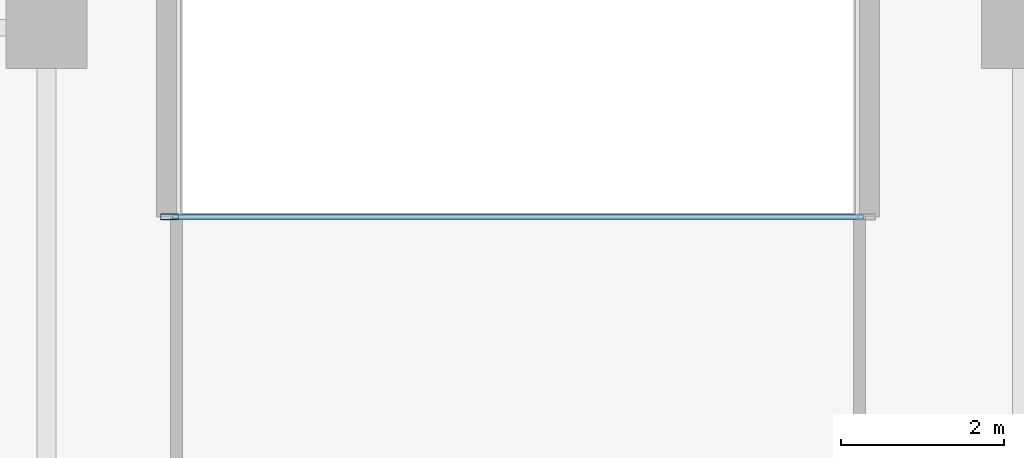
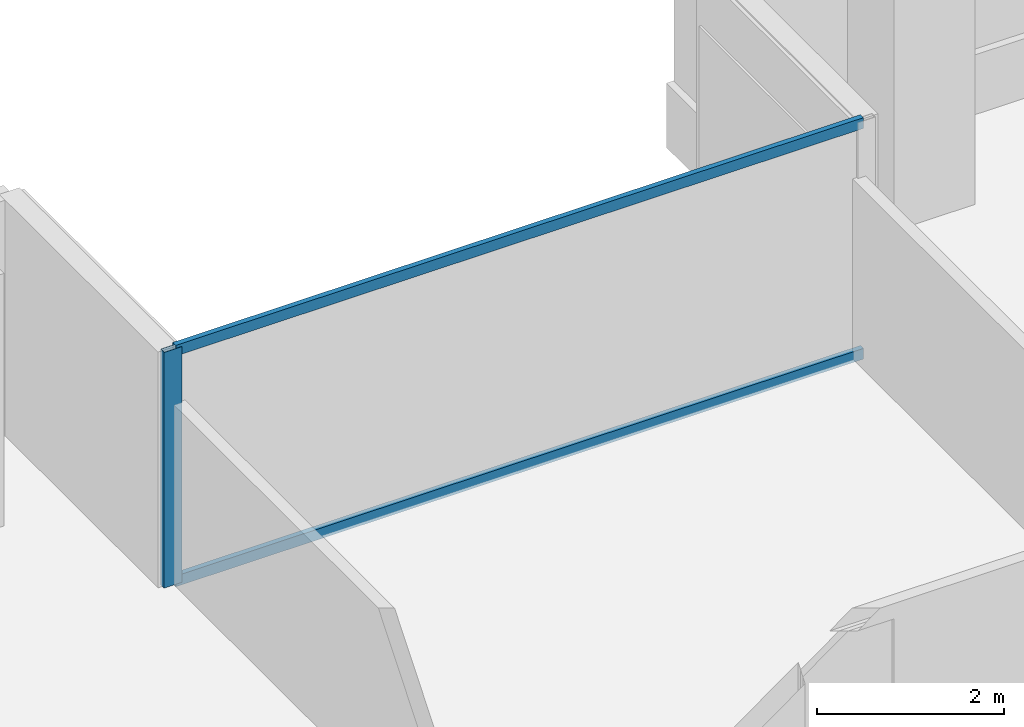
# One storey, part 10 of 35: 3 members, 1 element without a shape of its own.
"""IFC4 building model written with IfcOpenShell, lengths in metres."""

from ifc_helpers import new_model, si_unit, direction, frame, origin, origin_2d, place, context, subcontext, project, spatial, hollow_rectangle, extrude, material, layer, layer_set, material_profile, profile_set, type_object, element, aggregate, save


model = new_model("IFC4")

# Units and contexts
model_context = context("Model", 3, precision=1e-05, world=origin(), true_north=direction((0.0, 1.0)))
body_context = subcontext(model_context, "Body", "Model", "MODEL_VIEW")
ifc_project = project(units=[si_unit("LENGTHUNIT", "METRE"), si_unit("AREAUNIT", "SQUARE_METRE"), si_unit("VOLUMEUNIT", "CUBIC_METRE"), si_unit("PLANEANGLEUNIT", "RADIAN"), si_unit("MASSUNIT", "GRAM", prefix="KILO")], contexts=[model_context])

# Site, building, storey
site_placement = place(None, origin())
site = spatial("IfcSite", under=ifc_project, at=site_placement, CompositionType="ELEMENT")
building_placement = place(site_placement, origin())
building = spatial("IfcBuilding", under=site, at=building_placement, Name="Tanjung Sevakor Pilgrim Tower", CompositionType="ELEMENT")
storey_placement = place(building_placement, frame((0.0, 0.0, 92.070068359375)))
storey = spatial("IfcBuildingStorey", under=building, at=storey_placement, Name="L25", CompositionType="ELEMENT", Elevation=92.070068359375)

# Curtain wall, members
ifc_material_1 = material(Name="Aluminium 6063-T6 and Low-E Glass", Category="aluminium")
ifc_layer = layer(ifc_material_1, 0.179931640625)
ifc_layer_set = layer_set([ifc_layer], Name="CW-SYS-CLEFT")
curtain_wall_type = type_object("IfcCurtainWallType", Name="CW-SYS-CLEFT", PredefinedType="NOTDEFINED", material=ifc_layer_set)
curtain_wall_placement = place(storey_placement, origin())
curtain_wall = element("IfcCurtainWall", 1, at=curtain_wall_placement, inside=storey, type_object=curtain_wall_type, Name="L25 Curtain Wall CW-CLF-L25-10", PredefinedType="NOTDEFINED")
ifc_material_2 = material(Name="Aluminium 6063-T6", Category="aluminium")
ifc_material_profile_1 = material_profile(ifc_material_2, hollow_rectangle(XDim=0.074951171875, YDim=0.219970703125, WallThickness=0.0048828125, at=origin_2d()))
ifc_profile_set_1 = profile_set([ifc_material_profile_1], Name="Aluminium 6063-T6")
member_type_1 = type_object("IfcMemberType", Name="TYPE-CWM-2", PredefinedType="MULLION", material=ifc_profile_set_1)
member_1_placement = place(storey_placement, frame((43.512451171875, 54.074951171875, 0.0), z_axis=(0.0, 0.0, 1.0), x_axis=(0.0, -1.0, 0.0)))
member_1 = element("IfcMember", 2, at=member_1_placement, type_object=member_type_1, Name="CW-CLF mullion 2", PredefinedType="MULLION", context=body_context, shape_type="SweptSolid", body=[
    extrude(hollow_rectangle(XDim=0.074951171875, YDim=0.219970703125, WallThickness=0.0048828125, at=origin_2d()), origin(), (0.0, 0.0, 1.0), 3.079833984375),
])
ifc_material_3 = material(Name="Aluminium 6063-T6", Category="aluminium")
ifc_material_profile_2 = material_profile(ifc_material_3, hollow_rectangle(XDim=0.06494140625, YDim=0.139892578125, WallThickness=0.00390625, at=origin_2d()))
ifc_profile_set_2 = profile_set([ifc_material_profile_2], Name="Aluminium 6063-T6")
member_type_2 = type_object("IfcMemberType", Name="TYPE-CWT-1", PredefinedType="USERDEFINED", material=ifc_profile_set_2)
member_2_placement = place(storey_placement, frame((52.050048828125, 54.074951171875, 0.032470703125), z_axis=(-1.0, 0.0, 0.0), x_axis=(0.0, -1.0, 0.0)))
member_2 = element("IfcMember", 3, at=member_2_placement, type_object=member_type_2, Name="CW-CLF transom 1.1", ObjectType="TRANSOM", PredefinedType="USERDEFINED", context=body_context, shape_type="SweptSolid", body=[
    extrude(hollow_rectangle(XDim=0.06494140625, YDim=0.139892578125, WallThickness=0.00390625, at=origin_2d()), origin(), (0.0, 0.0, 1.0), 8.5),
])
member_3_placement = place(storey_placement, frame((52.050048828125, 54.074951171875, 3.04736328125), z_axis=(-1.0, 0.0, 0.0), x_axis=(0.0, -1.0, 0.0)))
member_3 = element("IfcMember", 4, at=member_3_placement, type_object=member_type_2, Name="CW-CLF transom 1.2", ObjectType="TRANSOM", PredefinedType="USERDEFINED", context=body_context, shape_type="SweptSolid", body=[
    extrude(hollow_rectangle(XDim=0.06494140625, YDim=0.139892578125, WallThickness=0.00390625, at=origin_2d()), origin(), (0.0, 0.0, 1.0), 8.5),
])
aggregate(curtain_wall, [member_1, member_2, member_3])

save(model, "model.ifc")
